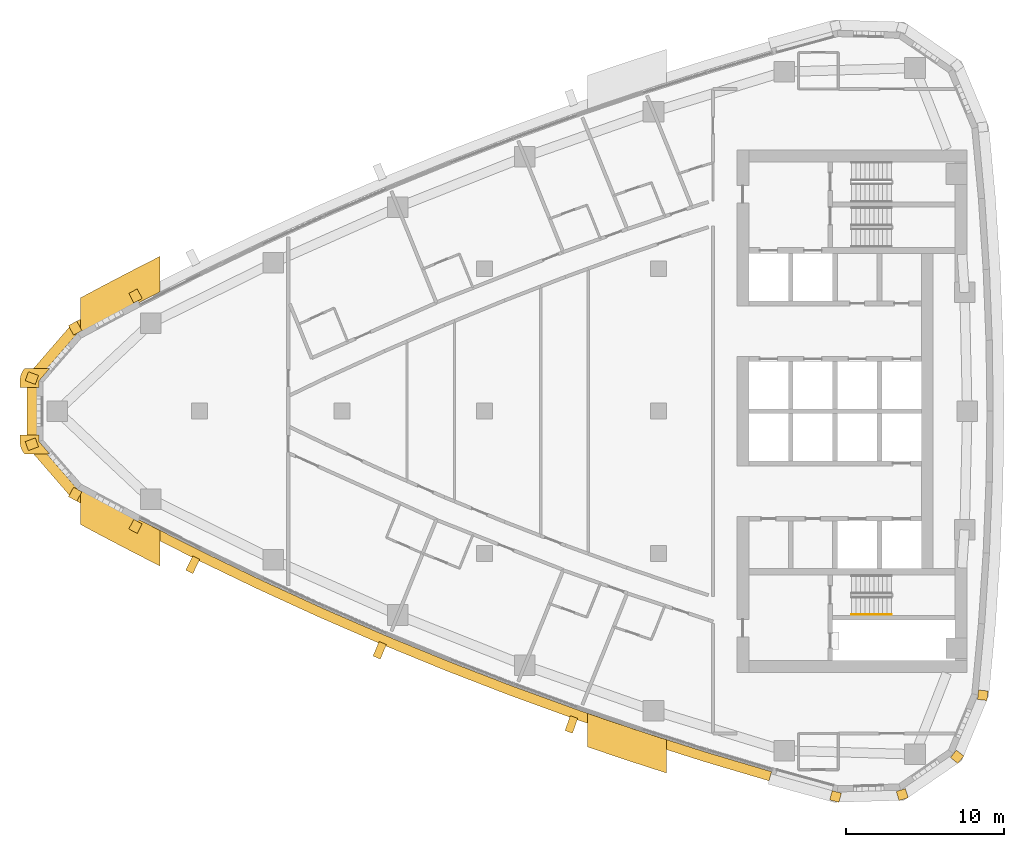
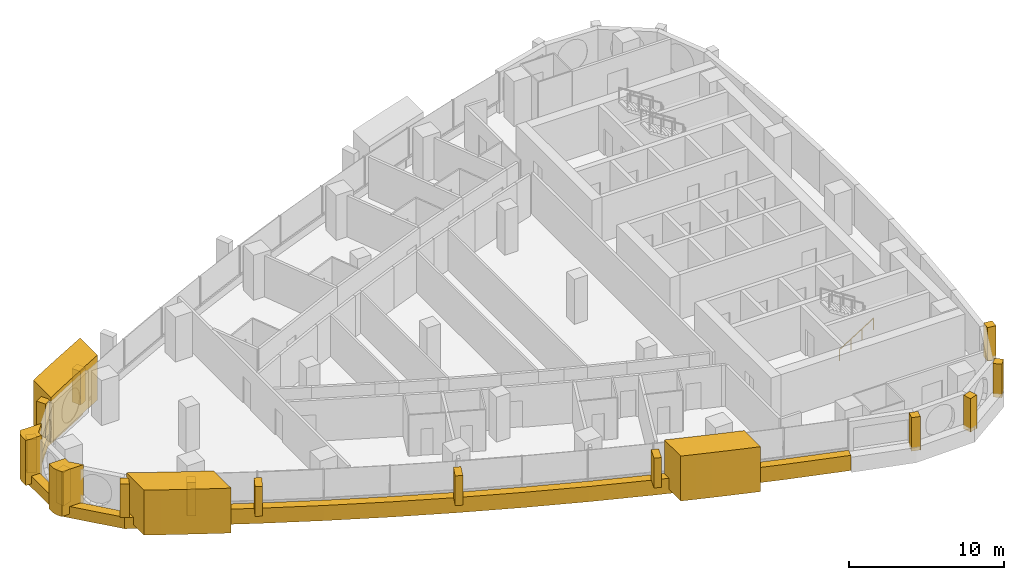
# One storey, part 14 of 17: 20 coverings, 1 railing.
"""IFC4 building model written with IfcOpenShell, lengths in metres."""

from ifc_helpers import new_model, si_unit, direction, frame, frame_2d, origin, origin_2d, place, context, subcontext, project, spatial, polyline, rectangle, circle, outline, extrude, material, layer, layer_set, type_object, element, save


model = new_model("IFC4")

# Units and contexts
model_context = context("Model", 3, precision=1e-05, world=origin(), true_north=direction((0.0, 1.0)))
body_context = subcontext(model_context, "Body", "Model", "MODEL_VIEW")
ifc_project = project(units=[si_unit("LENGTHUNIT", "METRE"), si_unit("AREAUNIT", "SQUARE_METRE"), si_unit("VOLUMEUNIT", "CUBIC_METRE"), si_unit("PLANEANGLEUNIT", "RADIAN"), si_unit("MASSUNIT", "GRAM", prefix="KILO")], contexts=[model_context])

# Site, building, storey
site_placement = place(None, origin())
site = spatial("IfcSite", under=ifc_project, at=site_placement, CompositionType="ELEMENT")
building_placement = place(site_placement, origin())
building = spatial("IfcBuilding", under=site, at=building_placement, Name="Ostrand Prow Hotel Tower", CompositionType="ELEMENT")
storey_placement = place(building_placement, frame((0.0, 0.0, 179.050048828125)))
storey = spatial("IfcBuildingStorey", under=building, at=storey_placement, Name="L44", CompositionType="ELEMENT", Elevation=179.050048828125)

# Coverings
ifc_material_1 = material(Name="Bronze anodised aluminium cladding", Category="aluminium")
ifc_layer_1 = layer(ifc_material_1, 0.60009765625)
ifc_layer_set_1 = layer_set([ifc_layer_1], Name="Bronze anodised aluminium cladding")
covering_type_1 = type_object("IfcCoveringType", Name="Bronze prow band 899x600", PredefinedType="CLADDING", material=ifc_layer_set_1)
covering_1_placement = place(storey_placement, frame((0.0, 0.0, -0.300048828125)))
element("IfcCovering", 1, at=covering_1_placement, inside=storey, type_object=covering_type_1, Name="Bronze prow band", PredefinedType="CLADDING", context=body_context, shape_type="SweptSolid", body=[
    extrude(outline(polyline([(11.8037109375, 7.58154296875), (7.9873046875, 5.546630859375), (5.09521484375, 2.20849609375), (5.09521484375, -2.20849609375), (7.9873046875, -5.546630859375), (11.8037109375, -7.58154296875), (12.117431640625, -6.978515625), (8.3134765625, -4.949951171875), (5.732421875, -1.970703125), (5.732421875, 1.970703125), (8.3134765625, 4.949951171875), (12.117431640625, 6.978515625), (11.8037109375, 7.58154296875)])), origin(), (0.0, 0.0, 1.0), 0.89990234375),
])
ifc_material_2 = material(Name="Bronze anodised aluminium cladding", Category="aluminium")
ifc_layer_2 = layer(ifc_material_2, 0.60009765625)
ifc_layer_set_2 = layer_set([ifc_layer_2], Name="Bronze anodised aluminium cladding")
covering_type_2 = type_object("IfcCoveringType", Name="Bronze spandrel band 1200x600", PredefinedType="CLADDING", material=ifc_layer_set_2)
covering_2_placement = place(storey_placement, frame((0.0, 0.0, -0.300048828125)))
element("IfcCovering", 2, at=covering_2_placement, inside=storey, type_object=covering_type_2, Name="Spandrel band S1", PredefinedType="CLADDING", context=body_context, shape_type="SweptSolid", body=[
    extrude(outline(polyline([(11.9052734375, -7.38623046875), (15.757568359375, -9.341796875), (19.648681640625, -11.219482421875), (23.57666015625, -13.0185546875), (27.5400390625, -14.738037109375), (31.537353515625, -16.37744140625), (35.566650390625, -17.93603515625), (39.626708984375, -19.4130859375), (43.7158203125, -20.80810546875), (47.831787109375, -22.12060546875), (51.9736328125, -23.35009765625), (52.138427734375, -22.773193359375), (48.00830078125, -21.547119140625), (43.90380859375, -20.23828125), (39.826171875, -18.84716796875), (35.777587890625, -17.374267578125), (31.759521484375, -15.820068359375), (27.773193359375, -14.185302734375), (23.821044921875, -12.470458984375), (19.90380859375, -10.676513671875), (16.023681640625, -8.80419921875), (12.18212890625, -6.85400390625), (11.9052734375, -7.38623046875)])), origin(), (0.0, 0.0, 1.0), 1.199951171875),
])
ifc_material_3 = material(Name="Limestone cladding", Category="masonry")
ifc_layer_3 = layer(ifc_material_3, 5.0)
ifc_layer_set_3 = layer_set([ifc_layer_3], Name="Limestone cladding")
covering_type_3 = type_object("IfcCoveringType", Name="Portal jamb pilaster limestone", PredefinedType="CLADDING", material=ifc_layer_set_3)
covering_3_placement = place(storey_placement, origin())
element("IfcCovering", 3, at=covering_3_placement, inside=storey, type_object=covering_type_3, Name="Portal jamb SA L44", PredefinedType="CLADDING", context=body_context, shape_type="SweptSolid", body=[
    extrude(outline(polyline([(8.5, -4.89208984375), (8.5, -7.1669921875), (9.5, -7.702392578125), (10.5, -8.231201171875), (11.5, -8.75341796875), (12.5, -9.268798828125), (13.5, -9.777587890625), (13.5, -7.533935546875), (12.5, -7.01904296875), (11.5, -6.497314453125), (10.5, -5.968994140625), (9.5, -5.43408203125), (8.5, -4.89208984375)])), origin(), (0.0, 0.0, 1.0), 3.550048828125),
])
covering_4_placement = place(storey_placement, origin())
element("IfcCovering", 4, at=covering_4_placement, inside=storey, type_object=covering_type_3, Name="Portal jamb SB L44", PredefinedType="CLADDING", context=body_context, shape_type="SweptSolid", body=[
    extrude(outline(polyline([(40.5, -19.08349609375), (40.5, -21.200439453125), (41.5, -21.542724609375), (42.5, -21.879638671875), (43.5, -22.211181640625), (44.5, -22.537109375), (45.5, -22.85791015625), (45.5, -20.75830078125), (44.5, -20.43408203125), (43.5, -20.104736328125), (42.5, -19.769775390625), (41.5, -19.429443359375), (40.5, -19.08349609375)])), origin(), (0.0, 0.0, 1.0), 3.550048828125),
])
covering_5_placement = place(storey_placement, origin())
element("IfcCovering", 5, at=covering_5_placement, inside=storey, type_object=covering_type_3, Name="Portal jamb NA L44", PredefinedType="CLADDING", context=body_context, shape_type="SweptSolid", body=[
    extrude(outline(polyline([(8.5, 4.89208984375), (9.5, 5.43408203125), (10.5, 5.968994140625), (11.5, 6.497314453125), (12.5, 7.01904296875), (13.5, 7.533935546875), (13.5, 9.777587890625), (12.5, 9.268798828125), (11.5, 8.75341796875), (10.5, 8.231201171875), (9.5, 7.702392578125), (8.5, 7.1669921875), (8.5, 4.89208984375)])), origin(), (0.0, 0.0, 1.0), 3.550048828125),
])
ifc_material_4 = material(Name="Limestone cladding", Category="masonry")
ifc_layer_4 = layer(ifc_material_4, 0.5)
ifc_layer_set_4 = layer_set([ifc_layer_4], Name="Limestone cladding")
covering_type_4 = type_object("IfcCoveringType", Name="Precast stone fin 500x900", PredefinedType="CLADDING", material=ifc_layer_set_4)
for number, where, z_axis, x_axis, name in (
    (6, (15.802001953125, -9.252197265625, 0.89990234375), (0.0, 0.0, 1.0), (-0.443596720488, -0.89622650573, 0.0), "Stone fin S 2"),
    (7, (27.578857421875, -14.64599609375, 0.89990234375), (0.0, 0.0, 1.0), (-0.388668122057, -0.921377822013, 0.0), "Stone fin S 5"),
    (8, (39.659912109375, -19.31884765625, 0.89990234375), (0.0, 0.0, 1.0), (-0.332296445508, -0.943174995588, 0.0), "Stone fin S 8"),
):
    element("IfcCovering", number, at=place(storey_placement, frame(where, z_axis=z_axis, x_axis=x_axis)), inside=storey, type_object=covering_type_4, Name=name, PredefinedType="CLADDING", context=body_context, shape_type="SweptSolid", body=[
        extrude(rectangle(XDim=1.0, YDim=0.5, at=frame_2d((0.5, 0.0))), origin(), (0.0, 0.0, 1.0), 2.35009765625),
    ])
ifc_material_5 = material(Name="Limestone cladding", Category="masonry")
ifc_layer_5 = layer(ifc_material_5, 0.60009765625)
ifc_layer_set_5 = layer_set([ifc_layer_5], Name="Limestone cladding")
covering_type_5 = type_object("IfcCoveringType", Name="Precast stone prow rib 600x600", PredefinedType="CLADDING", material=ifc_layer_set_5)
covering_6_placement = place(storey_placement, frame((12.117431640625, 6.978515625, 0.599853515625), z_axis=(0.0, 0.0, 1.0), x_axis=(-0.461522357319, 0.887128577882, 0.0)))
element("IfcCovering", 9, at=covering_6_placement, inside=storey, type_object=covering_type_5, Name="Stone prow rib 1", PredefinedType="CLADDING", context=body_context, shape_type="SweptSolid", body=[
    extrude(rectangle(XDim=0.6796875, YDim=0.60009765625, at=frame_2d((0.33984375, 0.0))), origin(), (0.0, 0.0, 1.0), 2.650146484375),
])
covering_7_placement = place(storey_placement, frame((8.3134765625, 4.949951171875, 0.599853515625), z_axis=(0.0, 0.0, 1.0), x_axis=(-0.479656876283, 0.877456141943, 0.0)))
element("IfcCovering", 10, at=covering_7_placement, inside=storey, type_object=covering_type_5, Name="Stone prow rib 2", PredefinedType="CLADDING", context=body_context, shape_type="SweptSolid", body=[
    extrude(rectangle(XDim=0.679931640625, YDim=0.60009765625, at=frame_2d((0.33984375, 0.0))), origin(), (0.0, 0.0, 1.0), 2.650146484375),
])
for number, where, z_axis, x_axis, name in (
    (11, (5.732421875, 1.970703125, 0.599853515625), (0.0, 0.0, 1.0), (-0.93688855374, 0.349628142277, 0.0), "Stone prow rib 3"),
    (12, (5.732421875, -1.970703125, 0.599853515625), (0.0, 0.0, 1.0), (-0.93688855374, -0.349628142277, 0.0), "Stone prow rib 4"),
):
    element("IfcCovering", number, at=place(storey_placement, frame(where, z_axis=z_axis, x_axis=x_axis)), inside=storey, type_object=covering_type_5, Name=name, PredefinedType="CLADDING", context=body_context, shape_type="SweptSolid", body=[
        extrude(rectangle(XDim=0.68017578125, YDim=0.60009765625, at=frame_2d((0.340087890625, 0.0))), origin(), (0.0, 0.0, 1.0), 2.650146484375),
    ])
covering_8_placement = place(storey_placement, frame((8.3134765625, -4.949951171875, 0.599853515625), z_axis=(0.0, 0.0, 1.0), x_axis=(-0.479656876283, -0.877456141943, 0.0)))
element("IfcCovering", 13, at=covering_8_placement, inside=storey, type_object=covering_type_5, Name="Stone prow rib 5", PredefinedType="CLADDING", context=body_context, shape_type="SweptSolid", body=[
    extrude(rectangle(XDim=0.679931640625, YDim=0.60009765625, at=frame_2d((0.33984375, 0.0))), origin(), (0.0, 0.0, 1.0), 2.650146484375),
])
covering_9_placement = place(storey_placement, frame((12.117431640625, -6.978515625, 0.599853515625), z_axis=(0.0, 0.0, 1.0), x_axis=(-0.461522357319, -0.887128577882, 0.0)))
element("IfcCovering", 14, at=covering_9_placement, inside=storey, type_object=covering_type_5, Name="Stone prow rib 6", PredefinedType="CLADDING", context=body_context, shape_type="SweptSolid", body=[
    extrude(rectangle(XDim=0.6796875, YDim=0.60009765625, at=frame_2d((0.33984375, 0.0))), origin(), (0.0, 0.0, 1.0), 2.650146484375),
])
for number, where, z_axis, x_axis, name in (
    (15, (56.256591796875, -24.05126953125, 0.599853515625), (0.0, 0.0, 1.0), (-0.255154261231, -0.966900358349, 0.0), "Stone corner rib 2a"),
    (16, (60.297607421875, -23.935302734375, 0.599853515625), (0.0, 0.0, 1.0), (0.310484329644, -0.950578498098, 0.0), "Stone corner rib 3a"),
    (17, (63.6279296875, -21.643798828125, 0.599853515625), (0.0, 0.0, 1.0), (0.776922530767, -0.62959620487, 0.0), "Stone corner rib 4a"),
    (18, (65.18017578125, -17.9111328125, 0.599853515625), (0.0, 0.0, 1.0), (0.994255138911, -0.107036062846, 0.0), "Stone corner rib 4b"),
):
    element("IfcCovering", number, at=place(storey_placement, frame(where, z_axis=z_axis, x_axis=x_axis)), inside=storey, type_object=covering_type_5, Name=name, PredefinedType="CLADDING", context=body_context, shape_type="SweptSolid", body=[
        extrude(rectangle(XDim=0.599853515625, YDim=0.60009765625, at=frame_2d((0.2998046875, 0.0))), origin(), (0.0, 0.0, 1.0), 2.650146484375),
    ])
ifc_material_6 = material(Name="Limestone cladding", Category="masonry")
ifc_layer_6 = layer(ifc_material_6, 3.0)
ifc_layer_set_6 = layer_set([ifc_layer_6], Name="Limestone cladding")
covering_type_6 = type_object("IfcCoveringType", Name="Prow nose pier limestone", PredefinedType="CLADDING", material=ifc_layer_set_6)
covering_10_placement = place(storey_placement, origin())
element("IfcCovering", 19, at=covering_10_placement, inside=storey, type_object=covering_type_6, Name="Prow spine fin N L44", PredefinedType="CLADDING", context=body_context, shape_type="SweptSolid", body=[
    extrude(outline(polyline([(4.663818359375, 1.921875), (4.663818359375, 1.5), (5.864013671875, 1.5), (5.864013671875, 1.921875), (6.5380859375, 2.699951171875), (4.950927734375, 2.699951171875), (4.881591796875, 2.611083984375), (4.816650390625, 2.507568359375), (4.762451171875, 2.39794921875), (4.719482421875, 2.283203125), (4.688720703125, 2.164794921875), (4.670166015625, 2.0439453125), (4.663818359375, 1.921875)])), origin(), (0.0, 0.0, 1.0), 3.550048828125),
])
covering_11_placement = place(storey_placement, origin())
element("IfcCovering", 20, at=covering_11_placement, inside=storey, type_object=covering_type_6, Name="Prow spine fin S L44", PredefinedType="CLADDING", context=body_context, shape_type="SweptSolid", body=[
    extrude(outline(polyline([(4.881591796875, -2.611083984375), (4.950927734375, -2.699951171875), (6.5380859375, -2.699951171875), (5.864013671875, -1.921875), (5.864013671875, -1.5), (4.663818359375, -1.5), (4.663818359375, -1.921875), (4.670166015625, -2.0439453125), (4.688720703125, -2.164794921875), (4.719482421875, -2.283203125), (4.762451171875, -2.39794921875), (4.816650390625, -2.507568359375), (4.881591796875, -2.611083984375)])), origin(), (0.0, 0.0, 1.0), 3.550048828125),
])

# Railing
ifc_material_7 = material(Name="Stainless steel", Category="steel")
railing_type = type_object("IfcRailingType", Name="Stair handrail 900", PredefinedType="HANDRAIL", material=ifc_material_7)
railing_placement = place(storey_placement, frame((57.199951171875, -12.85009765625, 0.177490234375)))
element("IfcRailing", 21, at=railing_placement, inside=storey, type_object=railing_type, Name="L44 ST2C stair handrail 1", PredefinedType="HANDRAIL", context=body_context, shape_type="SweptSolid", body=[
    extrude(circle(Radius=0.02392578125, at=origin_2d()), frame((0.0, 0.0, 0.8759765625), z_axis=(0.84460694969, 0.0, 0.535386869969), x_axis=(0.0, 1.0, 0.0)), (0.0, 0.0, 1.0), 2.983642578125),
    extrude(circle(Radius=0.02099609375, at=origin_2d()), origin(), (0.0, 0.0, 1.0), 0.851806640625),
    extrude(circle(Radius=0.02099609375, at=origin_2d()), frame((0.840087890625, 0.0, 0.532470703125)), (0.0, 0.0, 1.0), 0.851806640625),
    extrude(circle(Radius=0.02099609375, at=origin_2d()), frame((1.679931640625, 0.0, 1.06494140625)), (0.0, 0.0, 1.0), 0.851806640625),
    extrude(circle(Radius=0.02099609375, at=origin_2d()), frame((2.52001953125, 0.0, 1.597412109375)), (0.0, 0.0, 1.0), 0.851806640625),
])

save(model, "model.ifc")
